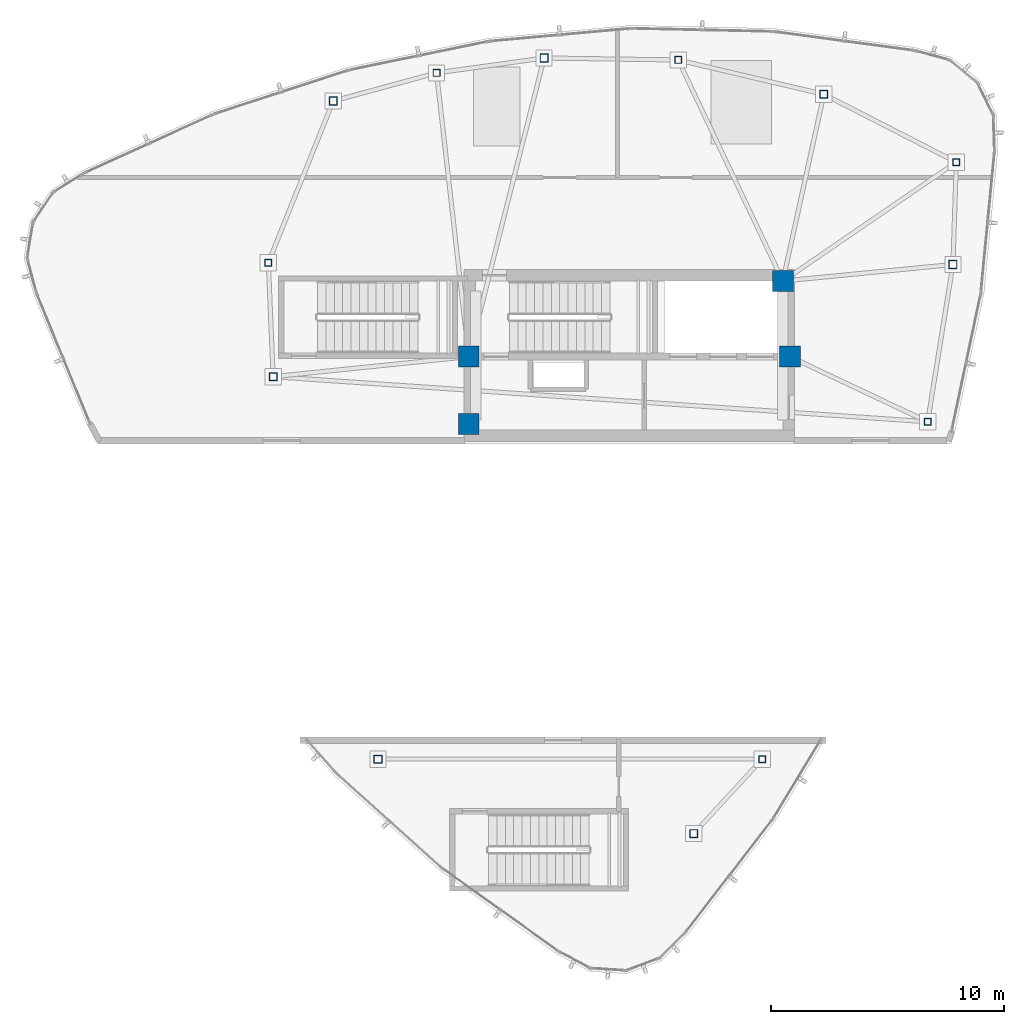
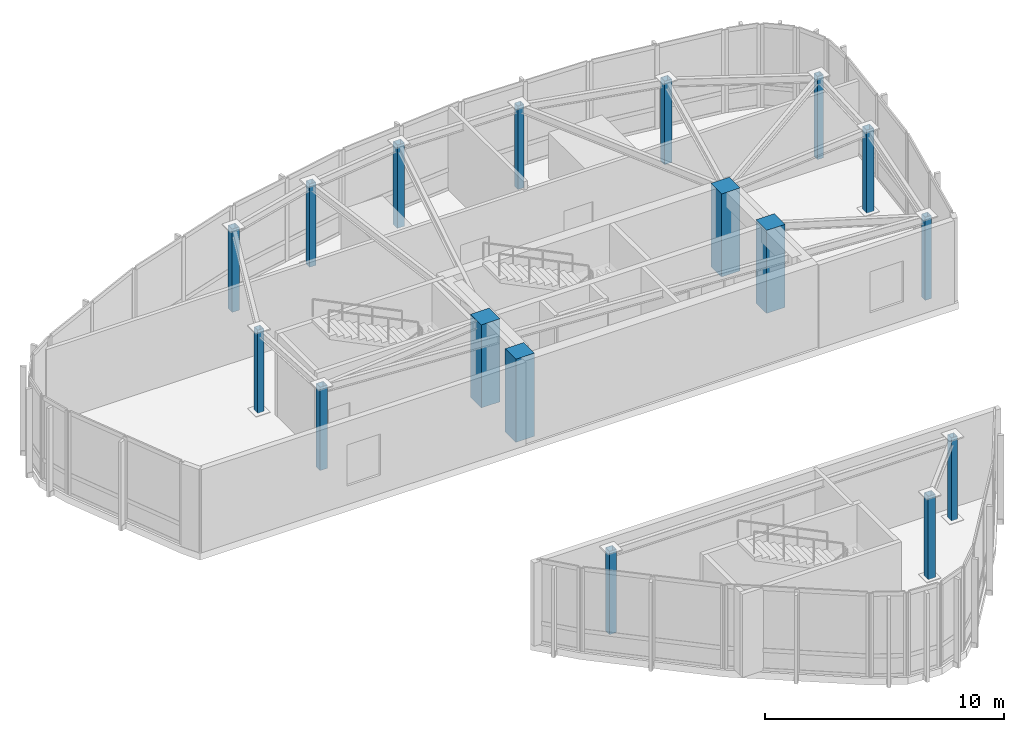
# One storey, part 1 of 16: 17 columns.
"""IFC4 building model written with IfcOpenShell, lengths in metres."""

from ifc_helpers import new_model, si_unit, direction, frame, origin, origin_2d, place, context, subcontext, project, spatial, rectangle, hollow_rectangle, extrude, material, material_profile, profile_set, type_object, element, save


model = new_model("IFC4")

# Units and contexts
model_context = context("Model", 3, precision=1e-05, world=origin(), true_north=direction((0.0, 1.0)))
body_context = subcontext(model_context, "Body", "Model", "MODEL_VIEW")
ifc_project = project(units=[si_unit("LENGTHUNIT", "METRE"), si_unit("AREAUNIT", "SQUARE_METRE"), si_unit("VOLUMEUNIT", "CUBIC_METRE"), si_unit("PLANEANGLEUNIT", "RADIAN"), si_unit("MASSUNIT", "GRAM", prefix="KILO")], contexts=[model_context])

# Site, building, storey
site_placement = place(None, origin())
site = spatial("IfcSite", under=ifc_project, at=site_placement, CompositionType="ELEMENT")
building_placement = place(site_placement, origin())
building = spatial("IfcBuilding", under=site, at=building_placement, Name="Tavelor Broadcast Tower", CompositionType="ELEMENT")
storey_placement = place(building_placement, frame((0.0, 0.0, 336.699951171875)))
storey = spatial("IfcBuildingStorey", under=building, at=storey_placement, Name="L80", CompositionType="ELEMENT", Elevation=336.699951171875)

# Columns
ifc_material_1 = material(Name="Concrete C50/60", Category="concrete")
ifc_material_profile_1 = material_profile(ifc_material_1, rectangle(XDim=0.89990234375, YDim=0.89990234375, at=origin_2d()), Name="RC 900x900")
ifc_profile_set_1 = profile_set([ifc_material_profile_1], Name="Concrete C50/60")
column_type_1 = type_object("IfcColumnType", Name="Core Embedded Composite Column RC900", PredefinedType="COLUMN", material=ifc_profile_set_1)
for number, where, z_axis, x_axis, name in (
    (1, (43.10009765625, 47.949951171875, 0.0), (0.0, 0.0, 1.0), (1.0, 0.0, 0.0), "L80 Core Embedded Column 1"),
    (2, (56.89990234375, 47.949951171875, 0.0), (0.0, 0.0, 1.0), (1.0, 0.0, 0.0), "L80 Core Embedded Column 2"),
    (3, (56.60009765625, 51.199951171875, 0.0), (0.0, 0.0, 1.0), (1.0, 0.0, 0.0), "L80 Core Embedded Column 3"),
    (4, (43.10009765625, 45.050048828125, 0.0), (0.0, 0.0, 1.0), (1.0, 0.0, 0.0), "L80 Core Embedded Column 4"),
):
    element("IfcColumn", number, at=place(storey_placement, frame(where, z_axis=z_axis, x_axis=x_axis)), inside=storey, type_object=column_type_1, Name=name, PredefinedType="COLUMN", context=body_context, shape_type="SweptSolid", body=[
        extrude(rectangle(XDim=0.89990234375, YDim=0.89990234375, at=origin_2d()), origin(), (0.0, 0.0, 1.0), 4.25),
    ])
ifc_material_2 = material(Name="Steel S355", Category="steel")
ifc_material_profile_2 = material_profile(ifc_material_2, hollow_rectangle(XDim=0.35009765625, YDim=0.35009765625, WallThickness=0.02001953125, at=origin_2d()), Name="SHS 350x350x20")
ifc_profile_set_2 = profile_set([ifc_material_profile_2], Name="Steel S355")
column_type_2 = type_object("IfcColumnType", Name="Crown Frame Column SHS350", PredefinedType="COLUMN", material=ifc_profile_set_2)
for number, where, z_axis, x_axis, name in (
    (5, (37.27294921875, 58.9375, 0.0), (0.0, 0.0, 1.0), (1.0, 0.0, 0.0), "L80 Crown Peak A Frame Column 1"),
    (6, (34.690673828125, 47.090087890625, 0.0), (0.0, 0.0, 1.0), (1.0, 0.0, 0.0), "L80 Crown Peak A Frame Column 3"),
    (7, (63.910888671875, 51.91064453125, 0.0), (0.0, 0.0, 1.0), (1.0, 0.0, 0.0), "L80 Crown Peak A Frame Column 5"),
    (8, (58.364013671875, 59.226318359375, 0.0), (0.0, 0.0, 1.0), (1.0, 0.0, 0.0), "L80 Crown Peak A Frame Column 7"),
    (9, (46.337158203125, 60.786865234375, 0.0), (0.0, 0.0, 1.0), (1.0, 0.0, 0.0), "L80 Crown Peak A Frame Column 9"),
    (10, (52.76708984375, 27.447998046875, 0.0), (0.0, 0.0, 1.0), (1.0, 0.0, 0.0), "L80 Crown Peak B Frame Column 1"),
    (11, (39.197509765625, 30.64990234375, 0.0), (0.0, 0.0, 1.0), (1.0, 0.0, 0.0), "L80 Crown Peak B Frame Column 3"),
):
    element("IfcColumn", number, at=place(storey_placement, frame(where, z_axis=z_axis, x_axis=x_axis)), inside=storey, type_object=column_type_2, Name=name, PredefinedType="COLUMN", context=body_context, shape_type="SweptSolid", body=[
        extrude(hollow_rectangle(XDim=0.35009765625, YDim=0.35009765625, WallThickness=0.02001953125, at=origin_2d()), origin(), (0.0, 0.0, 1.0), 4.25),
    ])
ifc_material_profile_3 = material_profile(ifc_material_2, hollow_rectangle(XDim=0.300048828125, YDim=0.300048828125, WallThickness=0.01611328125, at=origin_2d()), Name="SHS 300x300x16")
ifc_profile_set_3 = profile_set([ifc_material_profile_3], Name="Steel S355")
column_type_3 = type_object("IfcColumnType", Name="Crown Secondary Post SHS300", PredefinedType="COLUMN", material=ifc_profile_set_3)
for number, where, z_axis, x_axis, name in (
    (12, (34.4853515625, 51.989013671875, 0.0), (0.0, 0.0, 1.0), (1.0, 0.0, 0.0), "L80 Crown Peak A Frame Column 2"),
    (13, (62.826416015625, 45.14990234375, 0.0), (0.0, 0.0, 1.0), (1.0, 0.0, 0.0), "L80 Crown Peak A Frame Column 4"),
    (14, (64.058349609375, 56.30859375, 0.0), (0.0, 0.0, 1.0), (1.0, 0.0, 0.0), "L80 Crown Peak A Frame Column 6"),
    (15, (52.10400390625, 60.701416015625, 0.0), (0.0, 0.0, 1.0), (1.0, 0.0, 0.0), "L80 Crown Peak A Frame Column 8"),
    (16, (41.715087890625, 60.145751953125, 0.0), (0.0, 0.0, 1.0), (1.0, 0.0, 0.0), "L80 Crown Peak A Frame Column 10"),
    (17, (55.718505859375, 30.64990234375, 0.0), (0.0, 0.0, 1.0), (1.0, 0.0, 0.0), "L80 Crown Peak B Frame Column 2"),
):
    element("IfcColumn", number, at=place(storey_placement, frame(where, z_axis=z_axis, x_axis=x_axis)), inside=storey, type_object=column_type_3, Name=name, PredefinedType="COLUMN", context=body_context, shape_type="SweptSolid", body=[
        extrude(hollow_rectangle(XDim=0.300048828125, YDim=0.300048828125, WallThickness=0.01611328125, at=origin_2d()), origin(), (0.0, 0.0, 1.0), 4.25),
    ])

save(model, "model.ifc")
